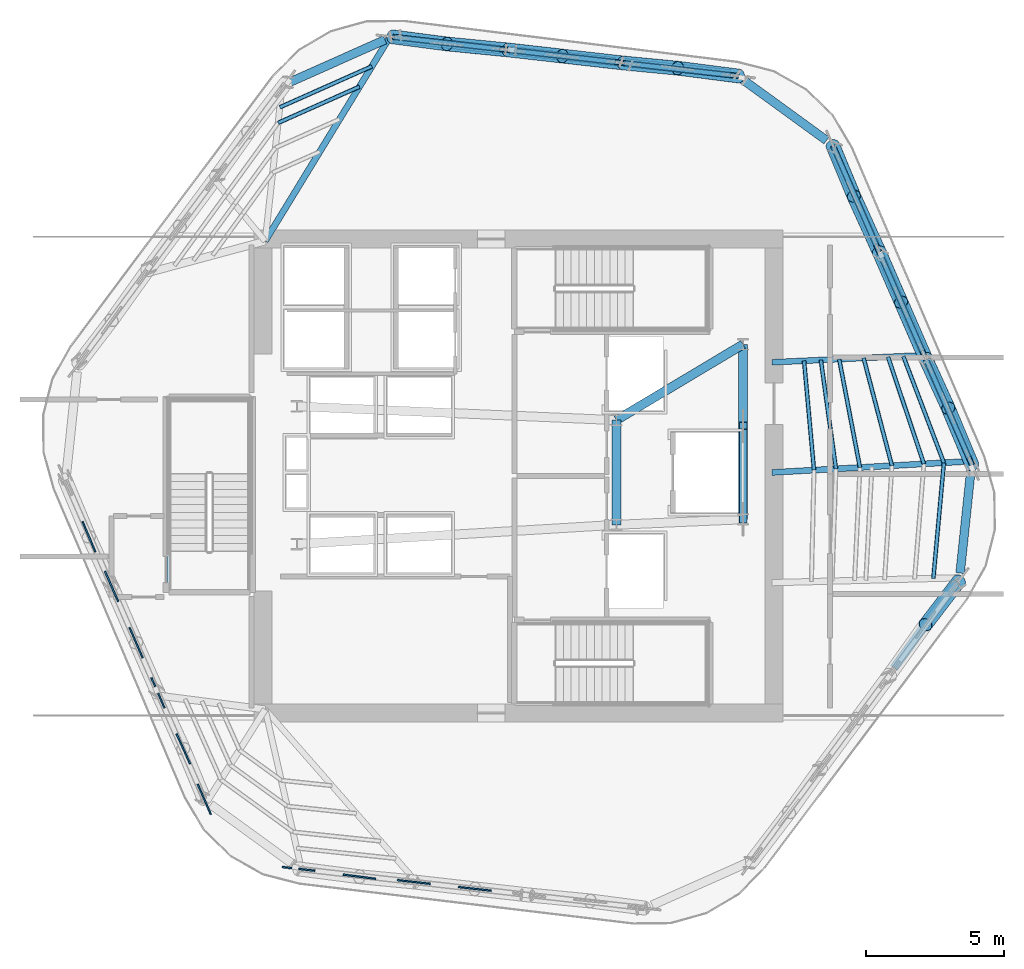
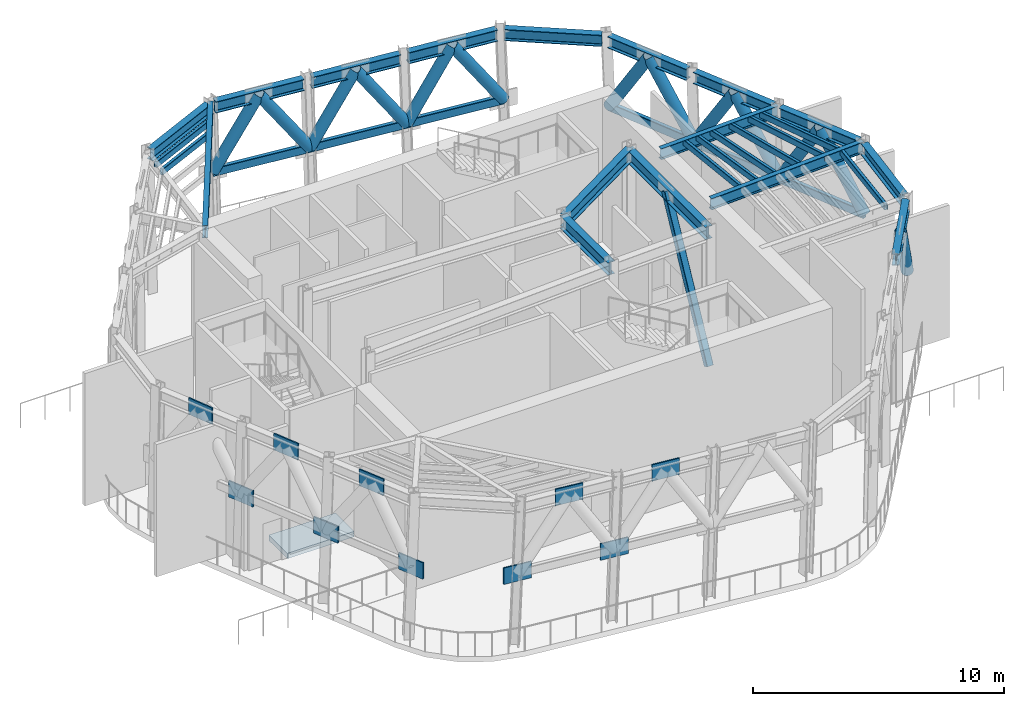
# One storey, part 3 of 10: 29 members, 16 beams, 10 plates, 1 slab.
"""IFC4 building model written with IfcOpenShell, lengths in metres."""

from ifc_helpers import new_model, si_unit, direction, frame, origin, origin_2d, place, context, subcontext, project, spatial, polyline, rectangle, hollow_rectangle, hollow_circle, i_section, outline, extrude, material, layer, layer_set, material_profile, profile_set, type_object, element, save


model = new_model("IFC4")

# Units and contexts
model_context = context("Model", 3, precision=1e-05, world=origin(), true_north=direction((0.0, 1.0)))
body_context = subcontext(model_context, "Body", "Model", "MODEL_VIEW")
ifc_project = project(units=[si_unit("LENGTHUNIT", "METRE"), si_unit("AREAUNIT", "SQUARE_METRE"), si_unit("VOLUMEUNIT", "CUBIC_METRE"), si_unit("PLANEANGLEUNIT", "RADIAN"), si_unit("MASSUNIT", "GRAM", prefix="KILO")], contexts=[model_context])

# Site, building, storey
site_placement = place(None, origin())
site = spatial("IfcSite", under=ifc_project, at=site_placement, CompositionType="ELEMENT")
building_placement = place(site_placement, origin())
building = spatial("IfcBuilding", under=site, at=building_placement, Name="Valkerne Bourse Tower", CompositionType="ELEMENT")
storey_placement = place(building_placement, frame((0.0, 0.0, 251.199951171875)))
storey = spatial("IfcBuildingStorey", under=building, at=storey_placement, Name="L64", CompositionType="ELEMENT", Elevation=251.199951171875)

# Beams
ifc_material_1 = material(Name="Steel ASTM A992", Category="steel")
ifc_material_profile_1 = material_profile(ifc_material_1, i_section(OverallWidth=0.31494140625, OverallDepth=0.5537109375, WebThickness=0.0166015625, FlangeThickness=0.026123046875, FilletRadius=0.020263671875, at=origin_2d()), Name="W21X132")
ifc_profile_set_1 = profile_set([ifc_material_profile_1], Name="Steel ASTM A992")
beam_type_1 = type_object("IfcBeamType", Name="BM-W21X132", PredefinedType="BEAM", material=ifc_profile_set_1)
beam_1_placement = place(storey_placement, frame((54.5029296875, 41.472900390625, 6.72314453125), z_axis=(-0.994526509172, 0.104484556537, 0.0), x_axis=(-0.104484556537, -0.994526509172, 0.0)))
element("IfcBeam", 1, at=beam_1_placement, inside=storey, type_object=beam_type_1, Name="L64 Hexagonal Spandrel Ring Beam 00", PredefinedType="BEAM", context=body_context, shape_type="SweptSolid", body=[
    extrude(i_section(OverallWidth=0.31494140625, OverallDepth=0.5537109375, WebThickness=0.0166015625, FlangeThickness=0.026123046875, FilletRadius=0.020263671875, at=origin_2d()), origin(), (0.0, 0.0, 1.0), 3.871826171875),
])
beam_2_placement = place(storey_placement, frame((50.314208984375, 41.9130859375, 6.72314453125), z_axis=(-0.994520644036, 0.104540368212, 0.0), x_axis=(-0.104540368212, -0.994520644036, 0.0)))
element("IfcBeam", 2, at=beam_2_placement, inside=storey, type_object=beam_type_1, Name="L64 Hexagonal Spandrel Ring Beam 01", PredefinedType="BEAM", context=body_context, shape_type="SweptSolid", body=[
    extrude(i_section(OverallWidth=0.31494140625, OverallDepth=0.5537109375, WebThickness=0.0166015625, FlangeThickness=0.026123046875, FilletRadius=0.020263671875, at=origin_2d()), origin(), (0.0, 0.0, 1.0), 3.8720703125),
])
beam_3_placement = place(storey_placement, frame((46.125, 42.353515625, 6.72314453125), z_axis=(-0.994526509172, 0.104484556537, 0.0), x_axis=(-0.104484556537, -0.994526509172, 0.0)))
element("IfcBeam", 3, at=beam_3_placement, inside=storey, type_object=beam_type_1, Name="L64 Hexagonal Spandrel Ring Beam 02", PredefinedType="BEAM", context=body_context, shape_type="SweptSolid", body=[
    extrude(i_section(OverallWidth=0.31494140625, OverallDepth=0.5537109375, WebThickness=0.0166015625, FlangeThickness=0.026123046875, FilletRadius=0.020263671875, at=origin_2d()), origin(), (0.0, 0.0, 1.0), 3.871826171875),
])
beam_4_placement = place(storey_placement, frame((41.949951171875, 42.706787109375, 6.72314453125), z_axis=(-0.913533658203, -0.406763144016, 0.0), x_axis=(0.406763144016, -0.913533658203, 0.0)))
element("IfcBeam", 4, at=beam_4_placement, inside=storey, type_object=beam_type_1, Name="L64 Hexagonal Spandrel Ring Beam 03", PredefinedType="BEAM", context=body_context, shape_type="SweptSolid", body=[
    extrude(i_section(OverallWidth=0.31494140625, OverallDepth=0.5537109375, WebThickness=0.0166015625, FlangeThickness=0.026123046875, FilletRadius=0.020263671875, at=origin_2d()), origin(), (0.0, 0.0, 1.0), 3.915771484375),
])
beam_5_placement = place(storey_placement, frame((60.433837890625, 19.90771484375, 6.72314453125), z_axis=(0.5877742263, 0.809025005112, 0.0), x_axis=(-0.809025005112, 0.5877742263, 0.0)))
element("IfcBeam", 5, at=beam_5_placement, inside=storey, type_object=beam_type_1, Name="L64 Hexagonal Spandrel Ring Beam 18", PredefinedType="BEAM", context=body_context, shape_type="SweptSolid", body=[
    extrude(i_section(OverallWidth=0.31494140625, OverallDepth=0.5537109375, WebThickness=0.0166015625, FlangeThickness=0.026123046875, FilletRadius=0.020263671875, at=origin_2d()), origin(), (0.0, 0.0, 1.0), 3.8720703125),
])
beam_6_placement = place(storey_placement, frame((62.827392578125, 23.346923828125, 6.72314453125), z_axis=(0.104564691649, 0.994518086945, 0.0), x_axis=(-0.994518086945, 0.104564691649, 0.0)))
element("IfcBeam", 6, at=beam_6_placement, inside=storey, type_object=beam_type_1, Name="L64 Hexagonal Spandrel Ring Beam 19", PredefinedType="BEAM", context=body_context, shape_type="SweptSolid", body=[
    extrude(i_section(OverallWidth=0.31494140625, OverallDepth=0.5537109375, WebThickness=0.0166015625, FlangeThickness=0.026123046875, FilletRadius=0.020263671875, at=origin_2d()), origin(), (0.0, 0.0, 1.0), 3.91552734375),
])
beam_7_placement = place(storey_placement, frame((63.185302734375, 27.5654296875, 6.72314453125), z_axis=(-0.406740935739, 0.913543546414, 0.0), x_axis=(-0.913543546414, -0.406740935739, 0.0)))
element("IfcBeam", 7, at=beam_7_placement, inside=storey, type_object=beam_type_1, Name="L64 Hexagonal Spandrel Ring Beam 20", PredefinedType="BEAM", context=body_context, shape_type="SweptSolid", body=[
    extrude(i_section(OverallWidth=0.31494140625, OverallDepth=0.5537109375, WebThickness=0.0166015625, FlangeThickness=0.026123046875, FilletRadius=0.020263671875, at=origin_2d()), origin(), (0.0, 0.0, 1.0), 3.8720703125),
])
beam_8_placement = place(storey_placement, frame((61.47216796875, 31.413330078125, 6.72314453125), z_axis=(-0.406764365103, 0.913533114497, 0.0), x_axis=(-0.913533114497, -0.406764365103, 0.0)))
element("IfcBeam", 8, at=beam_8_placement, inside=storey, type_object=beam_type_1, Name="L64 Hexagonal Spandrel Ring Beam 21", PredefinedType="BEAM", context=body_context, shape_type="SweptSolid", body=[
    extrude(i_section(OverallWidth=0.31494140625, OverallDepth=0.5537109375, WebThickness=0.0166015625, FlangeThickness=0.026123046875, FilletRadius=0.020263671875, at=origin_2d()), origin(), (0.0, 0.0, 1.0), 3.871826171875),
])
beam_9_placement = place(storey_placement, frame((59.759033203125, 35.260986328125, 6.72314453125), z_axis=(-0.406740935739, 0.913543546414, 0.0), x_axis=(-0.913543546414, -0.406740935739, 0.0)))
element("IfcBeam", 9, at=beam_9_placement, inside=storey, type_object=beam_type_1, Name="L64 Hexagonal Spandrel Ring Beam 22", PredefinedType="BEAM", context=body_context, shape_type="SweptSolid", body=[
    extrude(i_section(OverallWidth=0.31494140625, OverallDepth=0.5537109375, WebThickness=0.0166015625, FlangeThickness=0.026123046875, FilletRadius=0.020263671875, at=origin_2d()), origin(), (0.0, 0.0, 1.0), 3.8720703125),
])
beam_10_placement = place(storey_placement, frame((57.9775390625, 39.0537109375, 6.72314453125), z_axis=(-0.809035252827, 0.587760120869, 0.0), x_axis=(-0.587760120869, -0.809035252827, 0.0)))
element("IfcBeam", 10, at=beam_10_placement, inside=storey, type_object=beam_type_1, Name="L64 Hexagonal Spandrel Ring Beam 23", PredefinedType="BEAM", context=body_context, shape_type="SweptSolid", body=[
    extrude(i_section(OverallWidth=0.31494140625, OverallDepth=0.5537109375, WebThickness=0.0166015625, FlangeThickness=0.026123046875, FilletRadius=0.020263671875, at=origin_2d()), origin(), (0.0, 0.0, 1.0), 3.915771484375),
])
ifc_material_profile_2 = material_profile(ifc_material_1, i_section(OverallWidth=0.209228515625, OverallDepth=0.533447265625, WebThickness=0.01025390625, FlangeThickness=0.015625, FilletRadius=0.017822265625, at=origin_2d()), Name="W21X62")
ifc_profile_set_2 = profile_set([ifc_material_profile_2], Name="Steel ASTM A992")
beam_type_2 = type_object("IfcBeamType", Name="BM-W21X62", PredefinedType="JOIST", material=ifc_profile_set_2)
beam_11_placement = place(storey_placement, frame((61.541259765625, 31.258056640625, 6.7333984375), z_axis=(-0.998917376744, -0.046519613483, 0.0), x_axis=(0.046519613483, -0.998917376744, 0.0)))
element("IfcBeam", 11, at=beam_11_placement, inside=storey, type_object=beam_type_2, Name="L64 Radial Composite Floor Beam 21", PredefinedType="JOIST", context=body_context, shape_type="SweptSolid", body=[
    extrude(i_section(OverallWidth=0.209228515625, OverallDepth=0.533447265625, WebThickness=0.01025390625, FlangeThickness=0.015625, FilletRadius=0.017822265625, at=origin_2d()), origin(), (0.0, 0.0, 1.0), 5.54736328125),
])
ifc_material_profile_3 = material_profile(ifc_material_1, i_section(OverallWidth=0.2138671875, OverallDepth=0.548583984375, WebThickness=0.0146484375, FlangeThickness=0.023681640625, FilletRadius=0.017822265625, at=origin_2d()), Name="W21X93")
ifc_profile_set_3 = profile_set([ifc_material_profile_3], Name="Steel ASTM A992")
beam_type_3 = type_object("IfcBeamType", Name="BM-W21X93", PredefinedType="BEAM", material=ifc_profile_set_3)
beam_12_placement = place(storey_placement, frame((63.25439453125, 27.41015625, 6.725830078125), z_axis=(-0.998405492253, -0.056448853301, 0.0), x_axis=(0.056448853301, -0.998405492253, 0.0)))
element("IfcBeam", 12, at=beam_12_placement, inside=storey, type_object=beam_type_3, Name="L64 Radial Composite Floor Beam 20", PredefinedType="BEAM", context=body_context, shape_type="SweptSolid", body=[
    extrude(i_section(OverallWidth=0.2138671875, OverallDepth=0.548583984375, WebThickness=0.0146484375, FlangeThickness=0.023681640625, FilletRadius=0.017822265625, at=origin_2d()), origin(), (0.0, 0.0, 1.0), 7.265869140625),
])
ifc_material_profile_4 = material_profile(ifc_material_1, i_section(OverallWidth=0.3251953125, OverallDepth=0.612060546875, WebThickness=0.0126953125, FlangeThickness=0.01904296875, FilletRadius=0.020263671875, at=origin_2d()), Name="W24X104")
ifc_profile_set_4 = profile_set([ifc_material_profile_4], Name="Steel ASTM A992")
beam_type_4 = type_object("IfcBeamType", Name="BM-W24X104", PredefinedType="BEAM", material=ifc_profile_set_4)
beam_13_placement = place(storey_placement, frame((50.35009765625, 25.10009765625, 6.69384765625), z_axis=(0.0, 1.0, 0.0), x_axis=(-1.0, 0.0, 0.0)))
element("IfcBeam", 13, at=beam_13_placement, inside=storey, type_object=beam_type_4, Name="L64 Core Frame Girder CG-CE", PredefinedType="BEAM", context=body_context, shape_type="SweptSolid", body=[
    extrude(i_section(OverallWidth=0.3251953125, OverallDepth=0.612060546875, WebThickness=0.0126953125, FlangeThickness=0.01904296875, FilletRadius=0.020263671875, at=origin_2d()), origin(), (0.0, 0.0, 1.0), 3.7998046875),
])
beam_14_placement = place(storey_placement, frame((50.35009765625, 28.89990234375, 6.69384765625), z_axis=(0.858307823492, 0.513135148019, 0.0), x_axis=(-0.513135148019, 0.858307823492, 0.0)))
element("IfcBeam", 14, at=beam_14_placement, inside=storey, type_object=beam_type_4, Name="L64 Core Frame Girder CG-NE", PredefinedType="BEAM", context=body_context, shape_type="SweptSolid", body=[
    extrude(i_section(OverallWidth=0.3251953125, OverallDepth=0.612060546875, WebThickness=0.0126953125, FlangeThickness=0.01904296875, FilletRadius=0.020263671875, at=origin_2d()), origin(), (0.0, 0.0, 1.0), 5.359130859375),
])
beam_15_placement = place(storey_placement, frame((54.949951171875, 25.300048828125, 6.69384765625), z_axis=(0.0, 1.0, 0.0), x_axis=(-1.0, 0.0, 0.0)))
element("IfcBeam", 15, at=beam_15_placement, inside=storey, type_object=beam_type_4, Name="L64 Core Frame Girder CG-EE", PredefinedType="BEAM", context=body_context, shape_type="SweptSolid", body=[
    extrude(i_section(OverallWidth=0.3251953125, OverallDepth=0.612060546875, WebThickness=0.0126953125, FlangeThickness=0.01904296875, FilletRadius=0.020263671875, at=origin_2d()), origin(), (0.0, 0.0, 1.0), 6.349853515625),
])
ifc_material_profile_5 = material_profile(ifc_material_1, i_section(OverallWidth=0.228271484375, OverallDepth=0.607177734375, WebThickness=0.01123046875, FlangeThickness=0.017333984375, FilletRadius=0.017822265625, at=origin_2d()), Name="W24X76")
ifc_profile_set_5 = profile_set([ifc_material_profile_5], Name="Steel ASTM A992")
beam_type_5 = type_object("IfcBeamType", Name="BM-W24X76", PredefinedType="JOIST", material=ifc_profile_set_5)
beam_16_placement = place(storey_placement, frame((42.105224609375, 42.77587890625, 6.696533203125), z_axis=(-0.521246614399, -0.85340609734, 0.0), x_axis=(0.85340609734, -0.521246614399, 0.0)))
element("IfcBeam", 16, at=beam_16_placement, inside=storey, type_object=beam_type_5, Name="L64 Radial Composite Floor Beam 03", PredefinedType="JOIST", context=body_context, shape_type="SweptSolid", body=[
    extrude(i_section(OverallWidth=0.228271484375, OverallDepth=0.607177734375, WebThickness=0.01123046875, FlangeThickness=0.017333984375, FilletRadius=0.017822265625, at=origin_2d()), origin(), (0.0, 0.0, 1.0), 8.64306640625),
])

# Members
ifc_material_2 = material(Name="Steel ASTM A500 Grade C", Category="steel")
ifc_material_profile_6 = material_profile(ifc_material_2, hollow_circle(Radius=0.25390625, WallThickness=0.01611328125, at=origin_2d()), Name="CHS508X16")
ifc_profile_set_6 = profile_set([ifc_material_profile_6], Name="Steel ASTM A500 Grade C")
member_type_1 = type_object("IfcMemberType", Name="MBR-CHS508X16", PredefinedType="BRACE", material=ifc_profile_set_6)
member_1_placement = place(storey_placement, frame((54.788330078125, 41.390625, 3.5), z_axis=(-0.564127499537, 0.072641928709, 0.822486057304), x_axis=(-0.127714152065, -0.991811017968, 0.0)))
element("IfcMember", 17, at=member_1_placement, inside=storey, type_object=member_type_1, Name="L64 Wind Portal Belt Brace 00A", PredefinedType="BRACE", context=body_context, shape_type="SweptSolid", body=[
    extrude(hollow_circle(Radius=0.25390625, WallThickness=0.01611328125, at=origin_2d()), origin(), (0.0, 0.0, 1.0), 3.918701171875),
])
member_2_placement = place(storey_placement, frame((50.603271484375, 41.86474609375, 3.5), z_axis=(0.521693569512, -0.050059875101, 0.851662978199), x_axis=(0.095517734293, 0.995427728384, 0.0)))
element("IfcMember", 18, at=member_2_placement, inside=storey, type_object=member_type_1, Name="L64 Wind Portal Belt Brace 00B", PredefinedType="BRACE", context=body_context, shape_type="SweptSolid", body=[
    extrude(hollow_circle(Radius=0.25390625, WallThickness=0.01611328125, at=origin_2d()), origin(), (0.0, 0.0, 1.0), 3.784423828125),
])
member_3_placement = place(storey_placement, frame((50.603271484375, 41.86474609375, 3.5), z_axis=(-0.565140545368, 0.063984052485, 0.822509699036), x_axis=(-0.112499218622, -0.993651813167, 0.0)))
element("IfcMember", 19, at=member_3_placement, inside=storey, type_object=member_type_1, Name="L64 Wind Portal Belt Brace 01A", PredefinedType="BRACE", context=body_context, shape_type="SweptSolid", body=[
    extrude(hollow_circle(Radius=0.25390625, WallThickness=0.01611328125, at=origin_2d()), origin(), (0.0, 0.0, 1.0), 3.918701171875),
])
member_4_placement = place(storey_placement, frame((46.41796875, 42.338623046875, 3.5), z_axis=(0.520735847994, -0.058963400033, 0.851679220171), x_axis=(0.112511947468, 0.99365037195, 0.0)))
element("IfcMember", 20, at=member_4_placement, inside=storey, type_object=member_type_1, Name="L64 Wind Portal Belt Brace 01B", PredefinedType="BRACE", context=body_context, shape_type="SweptSolid", body=[
    extrude(hollow_circle(Radius=0.25390625, WallThickness=0.01611328125, at=origin_2d()), origin(), (0.0, 0.0, 1.0), 3.784423828125),
])
member_5_placement = place(storey_placement, frame((46.41796875, 42.338623046875, 3.5), z_axis=(-0.566064389032, 0.055447645415, 0.822494173893), x_axis=(-0.097486331589, -0.995236863844, 0.0)))
element("IfcMember", 21, at=member_5_placement, inside=storey, type_object=member_type_1, Name="L64 Wind Portal Belt Brace 02A", PredefinedType="BRACE", context=body_context, shape_type="SweptSolid", body=[
    extrude(hollow_circle(Radius=0.25390625, WallThickness=0.01611328125, at=origin_2d()), origin(), (0.0, 0.0, 1.0), 3.918701171875),
])
for number, where, z_axis, x_axis, name in (
    (22, (42.23291015625, 42.812744140625, 3.5), (0.519689326768, -0.067864097785, 0.851655721448), (0.129486519839, 0.991581182345, 0.0), "L64 Wind Portal Belt Brace 02B"),
    (23, (62.77783203125, 23.048828125, 3.5), (-0.318677244955, -0.416086686227, 0.851655260708), (0.793903429703, -0.60804386709, 0.0), "L64 Wind Portal Belt Brace 18B"),
):
    element("IfcMember", number, at=place(storey_placement, frame(where, z_axis=z_axis, x_axis=x_axis)), inside=storey, type_object=member_type_1, Name=name, PredefinedType="BRACE", context=body_context, shape_type="SweptSolid", body=[
        extrude(hollow_circle(Radius=0.25390625, WallThickness=0.01611328125, at=origin_2d()), origin(), (0.0, 0.0, 1.0), 3.78466796875),
    ])
member_6_placement = place(storey_placement, frame((63.2568359375, 27.27734375, 3.5), z_axis=(-0.219177097148, 0.524828842062, 0.82250597969), x_axis=(-0.922765501366, -0.385361946083, 0.0)))
element("IfcMember", 24, at=member_6_placement, inside=storey, type_object=member_type_1, Name="L64 Wind Portal Belt Brace 20A", PredefinedType="BRACE", context=body_context, shape_type="SweptSolid", body=[
    extrude(hollow_circle(Radius=0.25390625, WallThickness=0.01611328125, at=origin_2d()), origin(), (0.0, 0.0, 1.0), 3.918701171875),
])
member_7_placement = place(storey_placement, frame((61.57470703125, 31.138671875, 3.5), z_axis=(0.217523556876, -0.476848793721, 0.851644720603), x_axis=(0.909809264336, 0.415026628699, 0.0)))
element("IfcMember", 25, at=member_7_placement, inside=storey, type_object=member_type_1, Name="L64 Wind Portal Belt Brace 20B", PredefinedType="BRACE", context=body_context, shape_type="SweptSolid", body=[
    extrude(hollow_circle(Radius=0.25390625, WallThickness=0.01611328125, at=origin_2d()), origin(), (0.0, 0.0, 1.0), 3.78466796875),
])
member_8_placement = place(storey_placement, frame((61.57470703125, 31.138671875, 3.5), z_axis=(-0.227095535281, 0.52141633327, 0.822528191161), x_axis=(-0.91681733439, -0.399306868664, 0.0)))
element("IfcMember", 26, at=member_8_placement, inside=storey, type_object=member_type_1, Name="L64 Wind Portal Belt Brace 21A", PredefinedType="BRACE", context=body_context, shape_type="SweptSolid", body=[
    extrude(hollow_circle(Radius=0.25390625, WallThickness=0.01611328125, at=origin_2d()), origin(), (0.0, 0.0, 1.0), 3.918701171875),
])
member_9_placement = place(storey_placement, frame((59.892822265625, 35.0, 3.5), z_axis=(0.209279804847, -0.480427468155, 0.85169913181), x_axis=(0.916791908791, 0.399365241321, 0.0)))
element("IfcMember", 27, at=member_9_placement, inside=storey, type_object=member_type_1, Name="L64 Wind Portal Belt Brace 21B", PredefinedType="BRACE", context=body_context, shape_type="SweptSolid", body=[
    extrude(hollow_circle(Radius=0.25390625, WallThickness=0.01611328125, at=origin_2d()), origin(), (0.0, 0.0, 1.0), 3.784423828125),
])
member_10_placement = place(storey_placement, frame((59.892822265625, 35.0, 3.5), z_axis=(-0.235055787537, 0.51795754508, 0.822477208341), x_axis=(-0.910617624321, -0.413249975531, 0.0)))
element("IfcMember", 28, at=member_10_placement, inside=storey, type_object=member_type_1, Name="L64 Wind Portal Belt Brace 22A", PredefinedType="BRACE", context=body_context, shape_type="SweptSolid", body=[
    extrude(hollow_circle(Radius=0.25390625, WallThickness=0.01611328125, at=origin_2d()), origin(), (0.0, 0.0, 1.0), 3.9189453125),
])
member_11_placement = place(storey_placement, frame((58.210693359375, 38.861572265625, 3.5), z_axis=(0.201074386508, -0.484010626233, 0.851647112825), x_axis=(0.923480615944, 0.383645085952, 0.0)))
element("IfcMember", 29, at=member_11_placement, inside=storey, type_object=member_type_1, Name="L64 Wind Portal Belt Brace 22B", PredefinedType="BRACE", context=body_context, shape_type="SweptSolid", body=[
    extrude(hollow_circle(Radius=0.25390625, WallThickness=0.01611328125, at=origin_2d()), origin(), (0.0, 0.0, 1.0), 3.78466796875),
])
ifc_material_profile_7 = material_profile(ifc_material_2, hollow_rectangle(XDim=0.14990234375, YDim=0.300048828125, WallThickness=0.012451171875, OuterFilletRadius=0.02490234375, at=origin_2d()), Name="HSS300X150X12.5")
ifc_profile_set_7 = profile_set([ifc_material_profile_7], Name="Steel ASTM A500 Grade C")
member_type_2 = type_object("IfcMemberType", Name="MBR-HSS300X150X12.5", PredefinedType="PURLIN", material=ifc_profile_set_7)
member_12_placement = place(storey_placement, frame((58.3212890625, 27.131103515625, 6.840087890625), z_axis=(-0.137393248205, 0.990516580047, 0.0), x_axis=(-0.990516580047, -0.137393248205, 0.0)))
element("IfcMember", 30, at=member_12_placement, inside=storey, type_object=member_type_2, Name="L64 Secondary Composite Floor Purlin I-20", PredefinedType="PURLIN", context=body_context, shape_type="SweptSolid", body=[
    extrude(hollow_rectangle(XDim=0.14990234375, YDim=0.300048828125, WallThickness=0.012451171875, OuterFilletRadius=0.02490234375, at=origin_2d()), origin(), (0.0, 0.0, 1.0), 3.9892578125),
])
member_13_placement = place(storey_placement, frame((59.19189453125, 27.180419921875, 6.840087890625), z_axis=(-0.188196140866, 0.982131463992, 0.0), x_axis=(-0.982131463992, -0.188196140866, 0.0)))
element("IfcMember", 31, at=member_13_placement, inside=storey, type_object=member_type_2, Name="L64 Secondary Composite Floor Purlin K-20", PredefinedType="PURLIN", context=body_context, shape_type="SweptSolid", body=[
    extrude(hollow_rectangle(XDim=0.14990234375, YDim=0.300048828125, WallThickness=0.012451171875, OuterFilletRadius=0.02490234375, at=origin_2d()), origin(), (0.0, 0.0, 1.0), 4.004638671875),
])
member_14_placement = place(storey_placement, frame((41.02392578125, 41.005615234375, 6.840087890625), z_axis=(-0.91354987671, -0.406726717544, 0.0), x_axis=(0.406726717544, -0.91354987671, 0.0)))
element("IfcMember", 32, at=member_14_placement, inside=storey, type_object=member_type_2, Name="L64 Secondary Composite Floor Purlin O-03", PredefinedType="PURLIN", context=body_context, shape_type="SweptSolid", body=[
    extrude(hollow_rectangle(XDim=0.14990234375, YDim=0.300048828125, WallThickness=0.012451171875, OuterFilletRadius=0.02490234375, at=origin_2d()), origin(), (0.0, 0.0, 1.0), 3.234130859375),
])
member_15_placement = place(storey_placement, frame((61.513427734375, 27.311767578125, 6.840087890625), z_axis=(-0.317818499528, 0.948151570878, 0.0), x_axis=(-0.948151570878, -0.317818499528, 0.0)))
element("IfcMember", 33, at=member_15_placement, inside=storey, type_object=member_type_2, Name="L64 Secondary Composite Floor Purlin O-20", PredefinedType="PURLIN", context=body_context, shape_type="SweptSolid", body=[
    extrude(hollow_rectangle(XDim=0.14990234375, YDim=0.300048828125, WallThickness=0.012451171875, OuterFilletRadius=0.02490234375, at=origin_2d()), origin(), (0.0, 0.0, 1.0), 4.0966796875),
])
member_16_placement = place(storey_placement, frame((60.352783203125, 27.24609375, 6.840087890625), z_axis=(-0.254371388986, 0.967106610703, 0.0), x_axis=(-0.967106610703, -0.254371388986, 0.0)))
element("IfcMember", 34, at=member_16_placement, inside=storey, type_object=member_type_2, Name="L64 Secondary Composite Floor Purlin Z-20", PredefinedType="PURLIN", context=body_context, shape_type="SweptSolid", body=[
    extrude(hollow_rectangle(XDim=0.14990234375, YDim=0.300048828125, WallThickness=0.012451171875, OuterFilletRadius=0.02490234375, at=origin_2d()), origin(), (0.0, 0.0, 1.0), 4.041748046875),
])
member_17_placement = place(storey_placement, frame((57.5234375, 27.086181640625, 6.840087890625), z_axis=(-0.090259498449, 0.995918281256, 0.0), x_axis=(-0.995918281256, -0.090259498449, 0.0)))
element("IfcMember", 35, at=member_17_placement, inside=storey, type_object=member_type_2, Name="L64 Secondary Composite Floor Purlin S-20", PredefinedType="PURLIN", context=body_context, shape_type="SweptSolid", body=[
    extrude(hollow_rectangle(XDim=0.14990234375, YDim=0.300048828125, WallThickness=0.012451171875, OuterFilletRadius=0.02490234375, at=origin_2d()), origin(), (0.0, 0.0, 1.0), 3.984375),
])
member_18_placement = place(storey_placement, frame((41.474609375, 41.743408203125, 6.840087890625), z_axis=(-0.913530755176, -0.40676966375, 0.0), x_axis=(0.40676966375, -0.913530755176, 0.0)))
element("IfcMember", 36, at=member_18_placement, inside=storey, type_object=member_type_2, Name="L64 Secondary Composite Floor Purlin T-03", PredefinedType="PURLIN", context=body_context, shape_type="SweptSolid", body=[
    extrude(hollow_rectangle(XDim=0.14990234375, YDim=0.300048828125, WallThickness=0.012451171875, OuterFilletRadius=0.02490234375, at=origin_2d()), origin(), (0.0, 0.0, 1.0), 3.659912109375),
])
member_19_placement = place(storey_placement, frame((61.856201171875, 23.15283203125, 6.840087890625), z_axis=(0.09077062276, 0.995871826112, 0.0), x_axis=(-0.995871826112, 0.09077062276, 0.0)))
element("IfcMember", 37, at=member_19_placement, inside=storey, type_object=member_type_2, Name="L64 Secondary Composite Floor Purlin T-19", PredefinedType="PURLIN", context=body_context, shape_type="SweptSolid", body=[
    extrude(hollow_rectangle(XDim=0.14990234375, YDim=0.300048828125, WallThickness=0.012451171875, OuterFilletRadius=0.02490234375, at=origin_2d()), origin(), (0.0, 0.0, 1.0), 4.21728515625),
])
member_20_placement = place(storey_placement, frame((62.239013671875, 27.352783203125, 6.840087890625), z_axis=(-0.355926667667, 0.934513888202, 0.0), x_axis=(-0.934513888202, -0.355926667667, 0.0)))
element("IfcMember", 38, at=member_20_placement, inside=storey, type_object=member_type_2, Name="L64 Secondary Composite Floor Purlin T-20", PredefinedType="PURLIN", context=body_context, shape_type="SweptSolid", body=[
    extrude(hollow_rectangle(XDim=0.14990234375, YDim=0.300048828125, WallThickness=0.012451171875, OuterFilletRadius=0.02490234375, at=origin_2d()), origin(), (0.0, 0.0, 1.0), 4.140380859375),
])
ifc_material_profile_8 = material_profile(ifc_material_2, hollow_rectangle(XDim=0.300048828125, YDim=0.300048828125, WallThickness=0.012451171875, OuterFilletRadius=0.02490234375, at=origin_2d()), Name="HSS300X300X12.5")
ifc_profile_set_8 = profile_set([ifc_material_profile_8], Name="Steel ASTM A500 Grade C")
member_type_3 = type_object("IfcMemberType", Name="MBR-HSS300X300X12.5", PredefinedType="STRUT", material=ifc_profile_set_8)
member_21_placement = place(storey_placement, frame((54.949951171875, 25.300048828125, 0.219970703125), z_axis=(0.0, 0.46495363807, 0.885335029492), x_axis=(-1.0, 0.0, 0.0)))
element("IfcMember", 39, at=member_21_placement, inside=storey, type_object=member_type_3, Name="L64 Core Service Pier Lateral Brace", PredefinedType="STRUT", context=body_context, shape_type="SweptSolid", body=[
    extrude(hollow_rectangle(XDim=0.300048828125, YDim=0.300048828125, WallThickness=0.012451171875, OuterFilletRadius=0.02490234375, at=origin_2d()), origin(), (0.0, 0.0, 1.0), 7.312255859375),
])
ifc_material_profile_9 = material_profile(ifc_material_2, hollow_rectangle(XDim=0.199951171875, YDim=0.39990234375, WallThickness=0.01611328125, OuterFilletRadius=0.031982421875, at=origin_2d()), Name="HSS400X200X16")
ifc_profile_set_9 = profile_set([ifc_material_profile_9], Name="Steel ASTM A500 Grade C")
member_type_4 = type_object("IfcMemberType", Name="MBR-HSS400X200X16", PredefinedType="CHORD", material=ifc_profile_set_9)
member_22_placement = place(storey_placement, frame((54.788330078125, 41.390625, 3.5), z_axis=(-0.993643918823, 0.112568923717, 0.0), x_axis=(-0.112568923717, -0.993643918823, 0.0)))
element("IfcMember", 40, at=member_22_placement, inside=storey, type_object=member_type_4, Name="L64 Wind Portal Belt Girt 00", PredefinedType="CHORD", context=body_context, shape_type="SweptSolid", body=[
    extrude(hollow_rectangle(XDim=0.199951171875, YDim=0.39990234375, WallThickness=0.01611328125, OuterFilletRadius=0.031982421875, at=origin_2d()), origin(), (0.0, 0.0, 1.0), 4.2119140625),
])
member_23_placement = place(storey_placement, frame((50.603271484375, 41.86474609375, 3.5), z_axis=(-0.993651134571, 0.112505212168, 0.0), x_axis=(-0.112505212168, -0.993651134571, 0.0)))
element("IfcMember", 41, at=member_23_placement, inside=storey, type_object=member_type_4, Name="L64 Wind Portal Belt Girt 01", PredefinedType="CHORD", context=body_context, shape_type="SweptSolid", body=[
    extrude(hollow_rectangle(XDim=0.199951171875, YDim=0.39990234375, WallThickness=0.01611328125, OuterFilletRadius=0.031982421875, at=origin_2d()), origin(), (0.0, 0.0, 1.0), 4.212158203125),
])
for number, where, z_axis, x_axis, name in (
    (42, (46.41796875, 42.338623046875, 3.5), (-0.993643918823, 0.112568923717, 0.0), (-0.112568923717, -0.993643918823, 0.0), "L64 Wind Portal Belt Girt 02"),
    (43, (63.2568359375, 27.27734375, 3.5), (-0.399383075562, 0.916784139781, 0.0), (-0.916784139781, -0.399383075562, 0.0), "L64 Wind Portal Belt Girt 20"),
):
    element("IfcMember", number, at=place(storey_placement, frame(where, z_axis=z_axis, x_axis=x_axis)), inside=storey, type_object=member_type_4, Name=name, PredefinedType="CHORD", context=body_context, shape_type="SweptSolid", body=[
        extrude(hollow_rectangle(XDim=0.199951171875, YDim=0.39990234375, WallThickness=0.01611328125, OuterFilletRadius=0.031982421875, at=origin_2d()), origin(), (0.0, 0.0, 1.0), 4.2119140625),
    ])
member_24_placement = place(storey_placement, frame((61.57470703125, 31.138671875, 3.5), z_axis=(-0.399334354169, 0.916805362975, 0.0), x_axis=(-0.916805362975, -0.399334354169, 0.0)))
element("IfcMember", 44, at=member_24_placement, inside=storey, type_object=member_type_4, Name="L64 Wind Portal Belt Girt 21", PredefinedType="CHORD", context=body_context, shape_type="SweptSolid", body=[
    extrude(hollow_rectangle(XDim=0.199951171875, YDim=0.39990234375, WallThickness=0.01611328125, OuterFilletRadius=0.031982421875, at=origin_2d()), origin(), (0.0, 0.0, 1.0), 4.211669921875),
])
member_25_placement = place(storey_placement, frame((59.892822265625, 35.0, 3.5), z_axis=(-0.399361852586, 0.916793384956, 0.0), x_axis=(-0.916793384956, -0.399361852586, 0.0)))
element("IfcMember", 45, at=member_25_placement, inside=storey, type_object=member_type_4, Name="L64 Wind Portal Belt Girt 22", PredefinedType="CHORD", context=body_context, shape_type="SweptSolid", body=[
    extrude(hollow_rectangle(XDim=0.199951171875, YDim=0.39990234375, WallThickness=0.01611328125, OuterFilletRadius=0.031982421875, at=origin_2d()), origin(), (0.0, 0.0, 1.0), 4.212158203125),
])

# Plates
ifc_material_3 = material(Name="Steel ASTM A572 Grade 50", Category="steel")
ifc_layer_1 = layer(ifc_material_3, 0.06005859375)
ifc_layer_set_1 = layer_set([ifc_layer_1], Name="Steel ASTM A572 Grade 50")
plate_type = type_object("IfcPlateType", Name="PLT-GUS-60", PredefinedType="SHEET", material=ifc_layer_set_1)
for number, where, z_axis, x_axis, name in (
    (46, (32.025146484375, 22.861328125, 3.10009765625), (0.0, 0.0, 1.0), (0.39938920041, -0.91678147156, 0.0), "L64 Brace Node Gusset Plate PLT-GUS-END-L64-299"),
    (47, (31.2021484375, 24.666015625, 6.3232421875), (0.0, 0.0, 1.0), (0.385422949633, -0.922740022919, 0.0), "L64 Brace Node Gusset Plate PLT-GUS-END-L64-300"),
    (48, (33.707275390625, 19.0, 3.10009765625), (0.0, 0.0, 1.0), (0.39938920041, -0.91678147156, 0.0), "L64 Brace Node Gusset Plate PLT-GUS-END-L64-301"),
    (49, (32.915283203125, 20.818115234375, 6.3232421875), (0.0, 0.0, 1.0), (0.39938920041, -0.91678147156, 0.0), "L64 Brace Node Gusset Plate PLT-GUS-END-L64-302"),
    (50, (35.389404296875, 15.138427734375, 3.10009765625), (0.0, 0.0, 1.0), (0.39938920041, -0.91678147156, 0.0), "L64 Brace Node Gusset Plate PLT-GUS-END-L64-303"),
    (51, (34.62841796875, 16.97021484375, 6.3232421875), (0.0, 0.0, 1.0), (0.413263367815, -0.910611546611, 0.0), "L64 Brace Node Gusset Plate PLT-GUS-END-L64-304"),
    (52, (38.811767578125, 12.609375, 3.10009765625), (0.0, 0.0, 1.0), (0.993650644295, -0.112509542228, 0.0), "L64 Brace Node Gusset Plate PLT-GUS-END-L64-305"),
    (53, (42.996826171875, 12.13525390625, 3.10009765625), (0.0, 0.0, 1.0), (0.993650644295, -0.112509542228, 0.0), "L64 Brace Node Gusset Plate PLT-GUS-END-L64-306"),
    (54, (41.0224609375, 12.32470703125, 6.3232421875), (0.0, 0.0, 1.0), (0.991805493047, -0.127757050534, 0.0), "L64 Brace Node Gusset Plate PLT-GUS-END-L64-307"),
    (55, (45.211181640625, 11.884521484375, 6.3232421875), (0.0, 0.0, 1.0), (0.993650644295, -0.112509542228, 0.0), "L64 Brace Node Gusset Plate PLT-GUS-END-L64-309"),
):
    element("IfcPlate", number, at=place(storey_placement, frame(where, z_axis=z_axis, x_axis=x_axis)), inside=storey, type_object=plate_type, Name=name, PredefinedType="SHEET", context=body_context, shape_type="SweptSolid", body=[
        extrude(rectangle(XDim=1.199951171875, YDim=0.06005859375, at=origin_2d()), origin(), (0.0, 0.0, 1.0), 0.800048828125),
    ])

# Slab
ifc_material_4 = material(Name="Concrete C40/50", Category="concrete")
ifc_layer_2 = layer(ifc_material_4, 0.25)
ifc_layer_set_2 = layer_set([ifc_layer_2], Name="Concrete C40/50")
slab_type = type_object("IfcSlabType", Name="SLB-RMP-LND-250", PredefinedType="LANDING", material=ifc_layer_set_2)
slab_placement = place(storey_placement, frame((0.0, 0.0, -0.260009765625)))
element("IfcSlab", 56, at=slab_placement, inside=storey, type_object=slab_type, Name="L64 ST-3 Floor Landing Slab", PredefinedType="LANDING", context=body_context, shape_type="SweptSolid", body=[
    extrude(outline(polyline([(37.110107421875, 22.669921875), (37.110107421875, 24.14990234375), (34.0400390625, 24.14990234375), (34.0400390625, 22.669921875), (37.110107421875, 22.669921875)])), origin(), (0.0, 0.0, 1.0), 0.260009765625),
])

save(model, "model.ifc")
